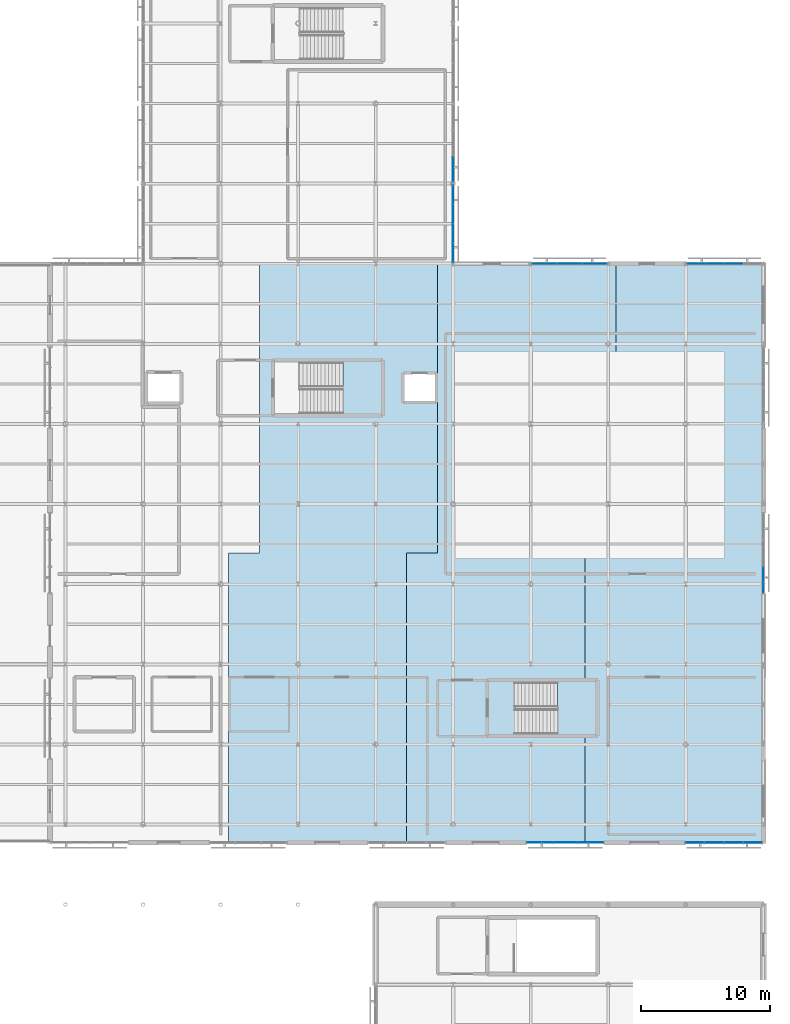
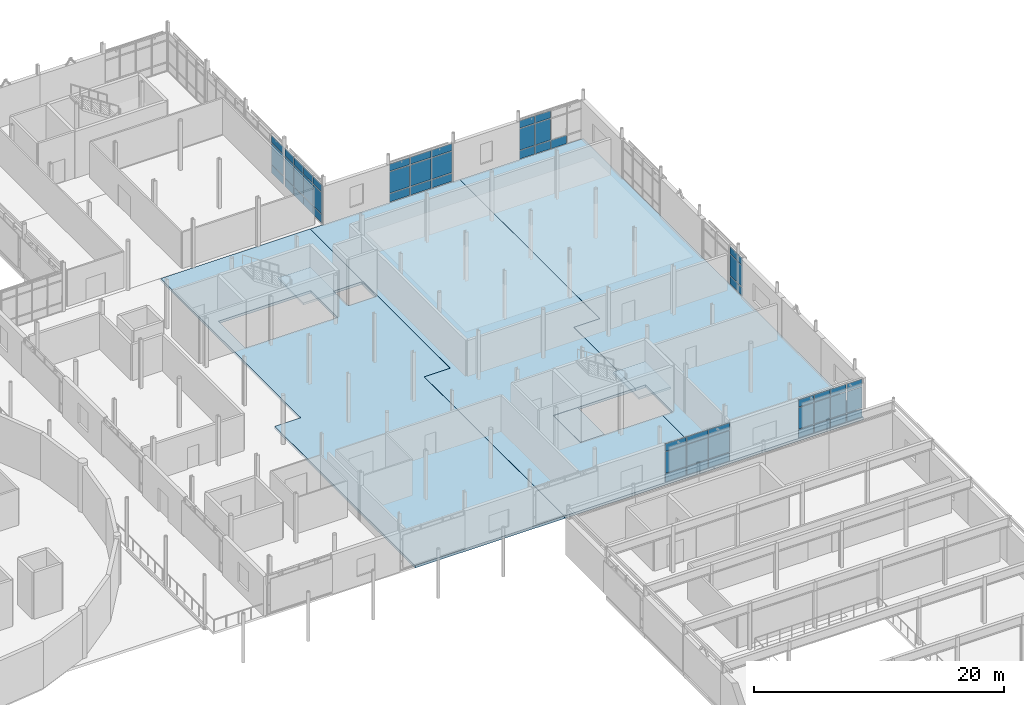
# One storey, part 54 of 84: 55 plates, 6 slabs, 9 elements without a shape of their own.
"""IFC4 building model written with IfcOpenShell, lengths in metres."""

from ifc_helpers import new_model, si_unit, direction, frame, origin, origin_2d, place, context, subcontext, project, spatial, polyline, rectangle, outline, extrude, material, layer, layer_set, type_object, element, aggregate, save


model = new_model("IFC4")

# Units and contexts
model_context = context("Model", 3, precision=1e-05, world=origin(), true_north=direction((0.0, 1.0)))
body_context = subcontext(model_context, "Body", "Model", "MODEL_VIEW")
ifc_project = project(units=[si_unit("LENGTHUNIT", "METRE"), si_unit("AREAUNIT", "SQUARE_METRE"), si_unit("VOLUMEUNIT", "CUBIC_METRE"), si_unit("PLANEANGLEUNIT", "RADIAN"), si_unit("MASSUNIT", "GRAM", prefix="KILO")], contexts=[model_context])

# Site, building, storey
site_placement = place(None, origin())
site = spatial("IfcSite", under=ifc_project, at=site_placement, CompositionType="ELEMENT")
building_placement = place(site_placement, origin())
building = spatial("IfcBuilding", under=site, at=building_placement, Name="Mirzam Square Science Centre", CompositionType="ELEMENT")
storey_placement = place(building_placement, frame((0.0, 0.0, 10.800048828125)))
storey = spatial("IfcBuildingStorey", under=building, at=storey_placement, Name="L02", CompositionType="ELEMENT", Elevation=10.800048828125)

# Curtain wall, plates
ifc_material_1 = material(Name="Anodised Aluminium and Low-E Solar Glass", Category="aluminium")
ifc_layer_1 = layer(ifc_material_1, 0.159912109375)
ifc_layer_set_1 = layer_set([ifc_layer_1], Name="CW-COURT-B")
curtain_wall_type_1 = type_object("IfcCurtainWallType", Name="CW-COURT-B", PredefinedType="USERDEFINED", material=ifc_layer_set_1)
curtain_wall_1_placement = place(storey_placement, origin())
curtain_wall_1 = element("IfcCurtainWall", 1, at=curtain_wall_1_placement, inside=storey, type_object=curtain_wall_type_1, Name="L02 unitised curtain wall 107", ObjectType="UNITISED CURTAIN WALL", PredefinedType="USERDEFINED")
ifc_material_2 = material(Name="Ceramic-Fritted Courtyard Solar Glass", Category="glass")
ifc_layer_2 = layer(ifc_material_2, 0.02392578125)
ifc_layer_set_2 = layer_set([ifc_layer_2], Name="CWP-GLZ-24")
plate_type_1 = type_object("IfcPlateType", Name="CWP-GLZ-24", PredefinedType="CURTAIN_PANEL", material=ifc_layer_set_2)
plate_1_placement = place(storey_placement, frame((159.736328125, 86.800048828125, 0.059814453125), z_axis=(0.0, 0.0, 1.0), x_axis=(-1.0, 0.0, 0.0)))
plate_1 = element("IfcPlate", 2, at=plate_1_placement, type_object=plate_type_1, Name="CW-04 panel 2.1", PredefinedType="CURTAIN_PANEL", context=body_context, shape_type="SweptSolid", body=[
    extrude(rectangle(XDim=1.41259765625, YDim=0.02392578125, at=origin_2d()), origin(), (0.0, 0.0, 1.0), 0.81005859375),
])
plate_2_placement = place(storey_placement, frame((158.263671875, 86.800048828125, 0.059814453125), z_axis=(0.0, 0.0, 1.0), x_axis=(-1.0, 0.0, 0.0)))
plate_2 = element("IfcPlate", 3, at=plate_2_placement, type_object=plate_type_1, Name="CW-04 panel 3.1", PredefinedType="CURTAIN_PANEL", context=body_context, shape_type="SweptSolid", body=[
    extrude(rectangle(XDim=1.41259765625, YDim=0.02392578125, at=origin_2d()), origin(), (0.0, 0.0, 1.0), 0.81005859375),
])
plate_3_placement = place(storey_placement, frame((158.263671875, 86.800048828125, 0.929931640625), z_axis=(0.0, 0.0, 1.0), x_axis=(-1.0, 0.0, 0.0)))
plate_3 = element("IfcPlate", 4, at=plate_3_placement, type_object=plate_type_1, Name="CW-04 panel 3.2", PredefinedType="CURTAIN_PANEL", context=body_context, shape_type="SweptSolid", body=[
    extrude(rectangle(XDim=1.41259765625, YDim=0.02392578125, at=origin_2d()), origin(), (0.0, 0.0, 1.0), 2.080078125),
])
plate_4_placement = place(storey_placement, frame((158.263671875, 86.800048828125, 3.070068359375), z_axis=(0.0, 0.0, 1.0), x_axis=(-1.0, 0.0, 0.0)))
plate_4 = element("IfcPlate", 5, at=plate_4_placement, type_object=plate_type_1, Name="CW-04 panel 3.3", PredefinedType="CURTAIN_PANEL", context=body_context, shape_type="SweptSolid", body=[
    extrude(rectangle(XDim=1.41259765625, YDim=0.02392578125, at=origin_2d()), origin(), (0.0, 0.0, 1.0), 0.7099609375),
])
plate_5_placement = place(storey_placement, frame((156.80615234375, 86.800048828125, 0.059814453125), z_axis=(0.0, 0.0, 1.0), x_axis=(-1.0, 0.0, 0.0)))
plate_5 = element("IfcPlate", 6, at=plate_5_placement, type_object=plate_type_1, Name="CW-04 panel 4.1", PredefinedType="CURTAIN_PANEL", context=body_context, shape_type="SweptSolid", body=[
    extrude(rectangle(XDim=1.382568359375, YDim=0.02392578125, at=origin_2d()), origin(), (0.0, 0.0, 1.0), 0.81005859375),
])
plate_6_placement = place(storey_placement, frame((156.80615234375, 86.800048828125, 0.929931640625), z_axis=(0.0, 0.0, 1.0), x_axis=(-1.0, 0.0, 0.0)))
plate_6 = element("IfcPlate", 7, at=plate_6_placement, type_object=plate_type_1, Name="CW-04 panel 4.2", PredefinedType="CURTAIN_PANEL", context=body_context, shape_type="SweptSolid", body=[
    extrude(rectangle(XDim=1.382568359375, YDim=0.02392578125, at=origin_2d()), origin(), (0.0, 0.0, 1.0), 2.080078125),
])
plate_7_placement = place(storey_placement, frame((156.80615234375, 86.800048828125, 3.070068359375), z_axis=(0.0, 0.0, 1.0), x_axis=(-1.0, 0.0, 0.0)))
plate_7 = element("IfcPlate", 8, at=plate_7_placement, type_object=plate_type_1, Name="CW-04 panel 4.3", PredefinedType="CURTAIN_PANEL", context=body_context, shape_type="SweptSolid", body=[
    extrude(rectangle(XDim=1.382568359375, YDim=0.02392578125, at=origin_2d()), origin(), (0.0, 0.0, 1.0), 0.7099609375),
])
aggregate(curtain_wall_1, [plate_1, plate_2, plate_3, plate_4, plate_5, plate_6, plate_7])

ifc_layer_3 = layer(ifc_material_1, 0.239990234375)
ifc_layer_set_3 = layer_set([ifc_layer_3], Name="CW-EAST-B")
curtain_wall_type_2 = type_object("IfcCurtainWallType", Name="CW-EAST-B", PredefinedType="USERDEFINED", material=ifc_layer_set_3)
curtain_wall_2_placement = place(storey_placement, origin())
curtain_wall_2 = element("IfcCurtainWall", 9, at=curtain_wall_2_placement, inside=storey, type_object=curtain_wall_type_2, Name="L02 unitised curtain wall 105", ObjectType="UNITISED CURTAIN WALL", PredefinedType="USERDEFINED")
ifc_material_3 = material(Name="Double-Silver Low-E Insulated Solar Glass", Category="glass")
ifc_layer_4 = layer(ifc_material_3, 0.028076171875)
ifc_layer_set_4 = layer_set([ifc_layer_4], Name="CWP-GLZ-28")
plate_type_2 = type_object("IfcPlateType", Name="CWP-GLZ-28", PredefinedType="CURTAIN_PANEL", material=ifc_layer_set_4)
plate_8_placement = place(storey_placement, frame((162.0, 62.322021484375, 0.074951171875), z_axis=(0.0, 0.0, 1.0), x_axis=(0.0, 1.0, 0.0)))
plate_8 = element("IfcPlate", 10, at=plate_8_placement, type_object=plate_type_2, Name="CW-06 panel 1.1", PredefinedType="CURTAIN_PANEL", context=body_context, shape_type="SweptSolid", body=[
    extrude(rectangle(XDim=1.984130859375, YDim=0.028076171875, at=origin_2d()), origin(), (0.0, 0.0, 1.0), 0.78759765625),
])
plate_9_placement = place(storey_placement, frame((162.0, 62.322021484375, 0.9375), z_axis=(0.0, 0.0, 1.0), x_axis=(0.0, 1.0, 0.0)))
plate_9 = element("IfcPlate", 11, at=plate_9_placement, type_object=plate_type_2, Name="CW-06 panel 1.2", PredefinedType="CURTAIN_PANEL", context=body_context, shape_type="SweptSolid", body=[
    extrude(rectangle(XDim=1.984130859375, YDim=0.028076171875, at=origin_2d()), origin(), (0.0, 0.0, 1.0), 2.06494140625),
])
plate_10_placement = place(storey_placement, frame((162.0, 62.322021484375, 3.077392578125), z_axis=(0.0, 0.0, 1.0), x_axis=(0.0, 1.0, 0.0)))
plate_10 = element("IfcPlate", 12, at=plate_10_placement, type_object=plate_type_2, Name="CW-06 panel 1.3", PredefinedType="CURTAIN_PANEL", context=body_context, shape_type="SweptSolid", body=[
    extrude(rectangle(XDim=1.984130859375, YDim=0.028076171875, at=origin_2d()), origin(), (0.0, 0.0, 1.0), 0.6875),
])
aggregate(curtain_wall_2, [plate_8, plate_9, plate_10])

curtain_wall_3_placement = place(storey_placement, origin())
curtain_wall_3 = element("IfcCurtainWall", 13, at=curtain_wall_3_placement, inside=storey, type_object=curtain_wall_type_2, Name="L02 unitised curtain wall 108", ObjectType="UNITISED CURTAIN WALL", PredefinedType="USERDEFINED")
plate_11_placement = place(storey_placement, frame((148.944580078125, 86.800048828125, 0.074951171875), z_axis=(0.0, 0.0, 1.0), x_axis=(-1.0, 0.0, 0.0)))
plate_11 = element("IfcPlate", 14, at=plate_11_placement, type_object=plate_type_2, Name="CW-06 panel 1.1", PredefinedType="CURTAIN_PANEL", context=body_context, shape_type="SweptSolid", body=[
    extrude(rectangle(XDim=1.850830078125, YDim=0.028076171875, at=origin_2d()), origin(), (0.0, 0.0, 1.0), 0.78759765625),
])
plate_12_placement = place(storey_placement, frame((148.944580078125, 86.800048828125, 0.9375), z_axis=(0.0, 0.0, 1.0), x_axis=(-1.0, 0.0, 0.0)))
plate_12 = element("IfcPlate", 15, at=plate_12_placement, type_object=plate_type_2, Name="CW-06 panel 1.2", PredefinedType="CURTAIN_PANEL", context=body_context, shape_type="SweptSolid", body=[
    extrude(rectangle(XDim=1.850830078125, YDim=0.028076171875, at=origin_2d()), origin(), (0.0, 0.0, 1.0), 2.06494140625),
])
plate_13_placement = place(storey_placement, frame((148.944580078125, 86.800048828125, 3.077392578125), z_axis=(0.0, 0.0, 1.0), x_axis=(-1.0, 0.0, 0.0)))
plate_13 = element("IfcPlate", 16, at=plate_13_placement, type_object=plate_type_2, Name="CW-06 panel 1.3", PredefinedType="CURTAIN_PANEL", context=body_context, shape_type="SweptSolid", body=[
    extrude(rectangle(XDim=1.850830078125, YDim=0.028076171875, at=origin_2d()), origin(), (0.0, 0.0, 1.0), 0.6875),
])
plate_14_placement = place(storey_placement, frame((147.0, 86.800048828125, 0.074951171875), z_axis=(0.0, 0.0, 1.0), x_axis=(-1.0, 0.0, 0.0)))
plate_14 = element("IfcPlate", 17, at=plate_14_placement, type_object=plate_type_2, Name="CW-06 panel 2.1", PredefinedType="CURTAIN_PANEL", context=body_context, shape_type="SweptSolid", body=[
    extrude(rectangle(XDim=1.888427734375, YDim=0.028076171875, at=origin_2d()), origin(), (0.0, 0.0, 1.0), 0.78759765625),
])
plate_15_placement = place(storey_placement, frame((147.0, 86.800048828125, 0.9375), z_axis=(0.0, 0.0, 1.0), x_axis=(-1.0, 0.0, 0.0)))
plate_15 = element("IfcPlate", 18, at=plate_15_placement, type_object=plate_type_2, Name="CW-06 panel 2.2", PredefinedType="CURTAIN_PANEL", context=body_context, shape_type="SweptSolid", body=[
    extrude(rectangle(XDim=1.888427734375, YDim=0.028076171875, at=origin_2d()), origin(), (0.0, 0.0, 1.0), 2.06494140625),
])
plate_16_placement = place(storey_placement, frame((147.0, 86.800048828125, 3.077392578125), z_axis=(0.0, 0.0, 1.0), x_axis=(-1.0, 0.0, 0.0)))
plate_16 = element("IfcPlate", 19, at=plate_16_placement, type_object=plate_type_2, Name="CW-06 panel 2.3", PredefinedType="CURTAIN_PANEL", context=body_context, shape_type="SweptSolid", body=[
    extrude(rectangle(XDim=1.888427734375, YDim=0.028076171875, at=origin_2d()), origin(), (0.0, 0.0, 1.0), 0.6875),
])
plate_17_placement = place(storey_placement, frame((145.055419921875, 86.800048828125, 0.074951171875), z_axis=(0.0, 0.0, 1.0), x_axis=(-1.0, 0.0, 0.0)))
plate_17 = element("IfcPlate", 20, at=plate_17_placement, type_object=plate_type_2, Name="CW-06 panel 3.1", PredefinedType="CURTAIN_PANEL", context=body_context, shape_type="SweptSolid", body=[
    extrude(rectangle(XDim=1.850830078125, YDim=0.028076171875, at=origin_2d()), origin(), (0.0, 0.0, 1.0), 0.78759765625),
])
plate_18_placement = place(storey_placement, frame((145.055419921875, 86.800048828125, 0.9375), z_axis=(0.0, 0.0, 1.0), x_axis=(-1.0, 0.0, 0.0)))
plate_18 = element("IfcPlate", 21, at=plate_18_placement, type_object=plate_type_2, Name="CW-06 panel 3.2", PredefinedType="CURTAIN_PANEL", context=body_context, shape_type="SweptSolid", body=[
    extrude(rectangle(XDim=1.850830078125, YDim=0.028076171875, at=origin_2d()), origin(), (0.0, 0.0, 1.0), 2.06494140625),
])
plate_19_placement = place(storey_placement, frame((145.055419921875, 86.800048828125, 3.077392578125), z_axis=(0.0, 0.0, 1.0), x_axis=(-1.0, 0.0, 0.0)))
plate_19 = element("IfcPlate", 22, at=plate_19_placement, type_object=plate_type_2, Name="CW-06 panel 3.3", PredefinedType="CURTAIN_PANEL", context=body_context, shape_type="SweptSolid", body=[
    extrude(rectangle(XDim=1.850830078125, YDim=0.028076171875, at=origin_2d()), origin(), (0.0, 0.0, 1.0), 0.6875),
])
aggregate(curtain_wall_3, [plate_11, plate_12, plate_13, plate_14, plate_15, plate_16, plate_17, plate_18, plate_19])

curtain_wall_4_placement = place(storey_placement, origin())
curtain_wall_4 = element("IfcCurtainWall", 23, at=curtain_wall_4_placement, inside=storey, type_object=curtain_wall_type_2, Name="L02 unitised curtain wall 118", ObjectType="UNITISED CURTAIN WALL", PredefinedType="USERDEFINED")
plate_20_placement = place(storey_placement, frame((138.0, 94.0888671875, 0.074951171875), z_axis=(0.0, 0.0, 1.0), x_axis=(0.0, 1.0, 0.0)))
plate_20 = element("IfcPlate", 24, at=plate_20_placement, type_object=plate_type_2, Name="CW-06 panel 1.1", PredefinedType="CURTAIN_PANEL", context=body_context, shape_type="SweptSolid", body=[
    extrude(rectangle(XDim=1.91748046875, YDim=0.028076171875, at=origin_2d()), origin(), (0.0, 0.0, 1.0), 0.78759765625),
])
plate_21_placement = place(storey_placement, frame((138.0, 94.0888671875, 0.9375), z_axis=(0.0, 0.0, 1.0), x_axis=(0.0, 1.0, 0.0)))
plate_21 = element("IfcPlate", 25, at=plate_21_placement, type_object=plate_type_2, Name="CW-06 panel 1.2", PredefinedType="CURTAIN_PANEL", context=body_context, shape_type="SweptSolid", body=[
    extrude(rectangle(XDim=1.91748046875, YDim=0.028076171875, at=origin_2d()), origin(), (0.0, 0.0, 1.0), 2.06494140625),
])
plate_22_placement = place(storey_placement, frame((138.0, 94.0888671875, 3.077392578125), z_axis=(0.0, 0.0, 1.0), x_axis=(0.0, 1.0, 0.0)))
plate_22 = element("IfcPlate", 26, at=plate_22_placement, type_object=plate_type_2, Name="CW-06 panel 1.3", PredefinedType="CURTAIN_PANEL", context=body_context, shape_type="SweptSolid", body=[
    extrude(rectangle(XDim=1.91748046875, YDim=0.028076171875, at=origin_2d()), origin(), (0.0, 0.0, 1.0), 0.6875),
])
aggregate(curtain_wall_4, [plate_20, plate_21, plate_22])

curtain_wall_5_placement = place(storey_placement, origin())
curtain_wall_5 = element("IfcCurtainWall", 27, at=curtain_wall_5_placement, inside=storey, type_object=curtain_wall_type_1, Name="L02 unitised curtain wall 104", ObjectType="UNITISED CURTAIN WALL", PredefinedType="USERDEFINED")
ifc_material_4 = material(Name="Triple-Glazed Acoustic Low-E Solar Glass", Category="glass")
ifc_layer_5 = layer(ifc_material_4, 0.031982421875)
ifc_layer_set_5 = layer_set([ifc_layer_5], Name="CWP-GLZ-32")
plate_type_3 = type_object("IfcPlateType", Name="CWP-GLZ-32", PredefinedType="CURTAIN_PANEL", material=ifc_layer_set_5)
plate_23_placement = place(storey_placement, frame((156.693359375, 42.0, 0.074951171875), z_axis=(0.0, 0.0, 1.0), x_axis=(1.0, 0.0, 0.0)))
plate_23 = element("IfcPlate", 28, at=plate_23_placement, type_object=plate_type_3, Name="CW-04 panel 1.1", PredefinedType="CURTAIN_PANEL", context=body_context, shape_type="SweptSolid", body=[
    extrude(rectangle(XDim=1.393310546875, YDim=0.031982421875, at=origin_2d()), origin(), (0.0, 0.0, 1.0), 0.78759765625),
])
plate_24_placement = place(storey_placement, frame((156.693359375, 42.0, 0.9375), z_axis=(0.0, 0.0, 1.0), x_axis=(1.0, 0.0, 0.0)))
plate_24 = element("IfcPlate", 29, at=plate_24_placement, type_object=plate_type_3, Name="CW-04 panel 1.2", PredefinedType="CURTAIN_PANEL", context=body_context, shape_type="SweptSolid", body=[
    extrude(rectangle(XDim=1.393310546875, YDim=0.031982421875, at=origin_2d()), origin(), (0.0, 0.0, 1.0), 2.06494140625),
])
plate_25_placement = place(storey_placement, frame((156.693359375, 42.0, 3.077392578125), z_axis=(0.0, 0.0, 1.0), x_axis=(1.0, 0.0, 0.0)))
plate_25 = element("IfcPlate", 30, at=plate_25_placement, type_object=plate_type_3, Name="CW-04 panel 1.3", PredefinedType="CURTAIN_PANEL", context=body_context, shape_type="SweptSolid", body=[
    extrude(rectangle(XDim=1.393310546875, YDim=0.031982421875, at=origin_2d()), origin(), (0.0, 0.0, 1.0), 0.6875),
])
plate_26_placement = place(storey_placement, frame((158.180419921875, 42.0, 0.074951171875), z_axis=(0.0, 0.0, 1.0), x_axis=(1.0, 0.0, 0.0)))
plate_26 = element("IfcPlate", 31, at=plate_26_placement, type_object=plate_type_3, Name="CW-04 panel 2.1", PredefinedType="CURTAIN_PANEL", context=body_context, shape_type="SweptSolid", body=[
    extrude(rectangle(XDim=1.430908203125, YDim=0.031982421875, at=origin_2d()), origin(), (0.0, 0.0, 1.0), 0.78759765625),
])
plate_27_placement = place(storey_placement, frame((158.180419921875, 42.0, 0.9375), z_axis=(0.0, 0.0, 1.0), x_axis=(1.0, 0.0, 0.0)))
plate_27 = element("IfcPlate", 32, at=plate_27_placement, type_object=plate_type_3, Name="CW-04 panel 2.2", PredefinedType="CURTAIN_PANEL", context=body_context, shape_type="SweptSolid", body=[
    extrude(rectangle(XDim=1.430908203125, YDim=0.031982421875, at=origin_2d()), origin(), (0.0, 0.0, 1.0), 2.06494140625),
])
plate_28_placement = place(storey_placement, frame((158.180419921875, 42.0, 3.077392578125), z_axis=(0.0, 0.0, 1.0), x_axis=(1.0, 0.0, 0.0)))
plate_28 = element("IfcPlate", 33, at=plate_28_placement, type_object=plate_type_3, Name="CW-04 panel 2.3", PredefinedType="CURTAIN_PANEL", context=body_context, shape_type="SweptSolid", body=[
    extrude(rectangle(XDim=1.430908203125, YDim=0.031982421875, at=origin_2d()), origin(), (0.0, 0.0, 1.0), 0.6875),
])
plate_29_placement = place(storey_placement, frame((159.686279296875, 42.0, 0.074951171875), z_axis=(0.0, 0.0, 1.0), x_axis=(1.0, 0.0, 0.0)))
plate_29 = element("IfcPlate", 34, at=plate_29_placement, type_object=plate_type_3, Name="CW-04 panel 3.1", PredefinedType="CURTAIN_PANEL", context=body_context, shape_type="SweptSolid", body=[
    extrude(rectangle(XDim=1.430908203125, YDim=0.031982421875, at=origin_2d()), origin(), (0.0, 0.0, 1.0), 0.78759765625),
])
plate_30_placement = place(storey_placement, frame((159.686279296875, 42.0, 0.9375), z_axis=(0.0, 0.0, 1.0), x_axis=(1.0, 0.0, 0.0)))
plate_30 = element("IfcPlate", 35, at=plate_30_placement, type_object=plate_type_3, Name="CW-04 panel 3.2", PredefinedType="CURTAIN_PANEL", context=body_context, shape_type="SweptSolid", body=[
    extrude(rectangle(XDim=1.430908203125, YDim=0.031982421875, at=origin_2d()), origin(), (0.0, 0.0, 1.0), 2.06494140625),
])
plate_31_placement = place(storey_placement, frame((159.686279296875, 42.0, 3.077392578125), z_axis=(0.0, 0.0, 1.0), x_axis=(1.0, 0.0, 0.0)))
plate_31 = element("IfcPlate", 36, at=plate_31_placement, type_object=plate_type_3, Name="CW-04 panel 3.3", PredefinedType="CURTAIN_PANEL", context=body_context, shape_type="SweptSolid", body=[
    extrude(rectangle(XDim=1.430908203125, YDim=0.031982421875, at=origin_2d()), origin(), (0.0, 0.0, 1.0), 0.6875),
])
plate_32_placement = place(storey_placement, frame((161.17333984375, 42.0, 0.074951171875), z_axis=(0.0, 0.0, 1.0), x_axis=(1.0, 0.0, 0.0)))
plate_32 = element("IfcPlate", 37, at=plate_32_placement, type_object=plate_type_3, Name="CW-04 panel 4.1", PredefinedType="CURTAIN_PANEL", context=body_context, shape_type="SweptSolid", body=[
    extrude(rectangle(XDim=1.393310546875, YDim=0.031982421875, at=origin_2d()), origin(), (0.0, 0.0, 1.0), 0.78759765625),
])
plate_33_placement = place(storey_placement, frame((161.17333984375, 42.0, 0.9375), z_axis=(0.0, 0.0, 1.0), x_axis=(1.0, 0.0, 0.0)))
plate_33 = element("IfcPlate", 38, at=plate_33_placement, type_object=plate_type_3, Name="CW-04 panel 4.2", PredefinedType="CURTAIN_PANEL", context=body_context, shape_type="SweptSolid", body=[
    extrude(rectangle(XDim=1.393310546875, YDim=0.031982421875, at=origin_2d()), origin(), (0.0, 0.0, 1.0), 2.06494140625),
])
plate_34_placement = place(storey_placement, frame((161.17333984375, 42.0, 3.077392578125), z_axis=(0.0, 0.0, 1.0), x_axis=(1.0, 0.0, 0.0)))
plate_34 = element("IfcPlate", 39, at=plate_34_placement, type_object=plate_type_3, Name="CW-04 panel 4.3", PredefinedType="CURTAIN_PANEL", context=body_context, shape_type="SweptSolid", body=[
    extrude(rectangle(XDim=1.393310546875, YDim=0.031982421875, at=origin_2d()), origin(), (0.0, 0.0, 1.0), 0.6875),
])
aggregate(curtain_wall_5, [plate_23, plate_24, plate_25, plate_26, plate_27, plate_28, plate_29, plate_30, plate_31, plate_32, plate_33, plate_34])

ifc_layer_6 = layer(ifc_material_1, 0.199951171875)
ifc_layer_set_6 = layer_set([ifc_layer_6], Name="CW-PARK-B")
curtain_wall_type_3 = type_object("IfcCurtainWallType", Name="CW-PARK-B", PredefinedType="USERDEFINED", material=ifc_layer_set_6)
curtain_wall_6_placement = place(storey_placement, origin())
curtain_wall_6 = element("IfcCurtainWall", 40, at=curtain_wall_6_placement, inside=storey, type_object=curtain_wall_type_3, Name="L02 unitised curtain wall 103", ObjectType="UNITISED CURTAIN WALL", PredefinedType="USERDEFINED")
ifc_material_5 = material(Name="Acoustic Laminated Solar Spandrel Glass", Category="glass")
ifc_layer_7 = layer(ifc_material_5, 0.0400390625)
ifc_layer_set_7 = layer_set([ifc_layer_7], Name="CWP-GLZ-40")
plate_type_4 = type_object("IfcPlateType", Name="CWP-GLZ-40", PredefinedType="CURTAIN_PANEL", material=ifc_layer_set_7)
plate_35_placement = place(storey_placement, frame((144.673828125, 42.0, 0.059814453125), z_axis=(0.0, 0.0, 1.0), x_axis=(1.0, 0.0, 0.0)))
plate_35 = element("IfcPlate", 41, at=plate_35_placement, type_object=plate_type_4, Name="CW-02 panel 1.1", PredefinedType="CURTAIN_PANEL", context=body_context, shape_type="SweptSolid", body=[
    extrude(rectangle(XDim=1.917724609375, YDim=0.0400390625, at=origin_2d()), origin(), (0.0, 0.0, 1.0), 0.81005859375),
])
plate_36_placement = place(storey_placement, frame((144.673828125, 42.0, 0.929931640625), z_axis=(0.0, 0.0, 1.0), x_axis=(1.0, 0.0, 0.0)))
plate_36 = element("IfcPlate", 42, at=plate_36_placement, type_object=plate_type_4, Name="CW-02 panel 1.2", PredefinedType="CURTAIN_PANEL", context=body_context, shape_type="SweptSolid", body=[
    extrude(rectangle(XDim=1.917724609375, YDim=0.0400390625, at=origin_2d()), origin(), (0.0, 0.0, 1.0), 2.080078125),
])
plate_37_placement = place(storey_placement, frame((144.673828125, 42.0, 3.070068359375), z_axis=(0.0, 0.0, 1.0), x_axis=(1.0, 0.0, 0.0)))
plate_37 = element("IfcPlate", 43, at=plate_37_placement, type_object=plate_type_4, Name="CW-02 panel 1.3", PredefinedType="CURTAIN_PANEL", context=body_context, shape_type="SweptSolid", body=[
    extrude(rectangle(XDim=1.917724609375, YDim=0.0400390625, at=origin_2d()), origin(), (0.0, 0.0, 1.0), 0.7099609375),
])
plate_38_placement = place(storey_placement, frame((146.666748046875, 42.0, 0.059814453125), z_axis=(0.0, 0.0, 1.0), x_axis=(1.0, 0.0, 0.0)))
plate_38 = element("IfcPlate", 44, at=plate_38_placement, type_object=plate_type_4, Name="CW-02 panel 2.1", PredefinedType="CURTAIN_PANEL", context=body_context, shape_type="SweptSolid", body=[
    extrude(rectangle(XDim=1.94775390625, YDim=0.0400390625, at=origin_2d()), origin(), (0.0, 0.0, 1.0), 0.81005859375),
])
plate_39_placement = place(storey_placement, frame((146.666748046875, 42.0, 0.929931640625), z_axis=(0.0, 0.0, 1.0), x_axis=(1.0, 0.0, 0.0)))
plate_39 = element("IfcPlate", 45, at=plate_39_placement, type_object=plate_type_4, Name="CW-02 panel 2.2", PredefinedType="CURTAIN_PANEL", context=body_context, shape_type="SweptSolid", body=[
    extrude(rectangle(XDim=1.94775390625, YDim=0.0400390625, at=origin_2d()), origin(), (0.0, 0.0, 1.0), 2.080078125),
])
plate_40_placement = place(storey_placement, frame((146.666748046875, 42.0, 3.070068359375), z_axis=(0.0, 0.0, 1.0), x_axis=(1.0, 0.0, 0.0)))
plate_40 = element("IfcPlate", 46, at=plate_40_placement, type_object=plate_type_4, Name="CW-02 panel 2.3", PredefinedType="CURTAIN_PANEL", context=body_context, shape_type="SweptSolid", body=[
    extrude(rectangle(XDim=1.94775390625, YDim=0.0400390625, at=origin_2d()), origin(), (0.0, 0.0, 1.0), 0.7099609375),
])
plate_41_placement = place(storey_placement, frame((148.659423828125, 42.0, 0.059814453125), z_axis=(0.0, 0.0, 1.0), x_axis=(1.0, 0.0, 0.0)))
plate_41 = element("IfcPlate", 47, at=plate_41_placement, type_object=plate_type_4, Name="CW-02 panel 3.1", PredefinedType="CURTAIN_PANEL", context=body_context, shape_type="SweptSolid", body=[
    extrude(rectangle(XDim=1.917724609375, YDim=0.0400390625, at=origin_2d()), origin(), (0.0, 0.0, 1.0), 0.81005859375),
])
plate_42_placement = place(storey_placement, frame((148.659423828125, 42.0, 0.929931640625), z_axis=(0.0, 0.0, 1.0), x_axis=(1.0, 0.0, 0.0)))
plate_42 = element("IfcPlate", 48, at=plate_42_placement, type_object=plate_type_4, Name="CW-02 panel 3.2", PredefinedType="CURTAIN_PANEL", context=body_context, shape_type="SweptSolid", body=[
    extrude(rectangle(XDim=1.917724609375, YDim=0.0400390625, at=origin_2d()), origin(), (0.0, 0.0, 1.0), 2.080078125),
])
plate_43_placement = place(storey_placement, frame((148.659423828125, 42.0, 3.070068359375), z_axis=(0.0, 0.0, 1.0), x_axis=(1.0, 0.0, 0.0)))
plate_43 = element("IfcPlate", 49, at=plate_43_placement, type_object=plate_type_4, Name="CW-02 panel 3.3", PredefinedType="CURTAIN_PANEL", context=body_context, shape_type="SweptSolid", body=[
    extrude(rectangle(XDim=1.917724609375, YDim=0.0400390625, at=origin_2d()), origin(), (0.0, 0.0, 1.0), 0.7099609375),
])
aggregate(curtain_wall_6, [plate_35, plate_36, plate_37, plate_38, plate_39, plate_40, plate_41, plate_42, plate_43])

ifc_layer_8 = layer(ifc_material_1, 0.199951171875)
ifc_layer_set_8 = layer_set([ifc_layer_8], Name="CW-EAST-A")
curtain_wall_type_4 = type_object("IfcCurtainWallType", Name="CW-EAST-A", PredefinedType="USERDEFINED", material=ifc_layer_set_8)
curtain_wall_7_placement = place(storey_placement, origin())
curtain_wall_7 = element("IfcCurtainWall", 50, at=curtain_wall_7_placement, inside=storey, type_object=curtain_wall_type_4, Name="L02 unitised curtain wall 116", ObjectType="UNITISED CURTAIN WALL", PredefinedType="USERDEFINED")
plate_44_placement = place(storey_placement, frame((138.0, 87.632568359375, 0.06494140625), z_axis=(0.0, 0.0, 1.0), x_axis=(0.0, 1.0, 0.0)))
plate_44 = element("IfcPlate", 51, at=plate_44_placement, type_object=plate_type_4, Name="CW-05 panel 1.1", PredefinedType="CURTAIN_PANEL", context=body_context, shape_type="SweptSolid", body=[
    extrude(rectangle(XDim=1.425048828125, YDim=0.0400390625, at=origin_2d()), origin(), (0.0, 0.0, 1.0), 0.802490234375),
])
plate_45_placement = place(storey_placement, frame((138.0, 87.632568359375, 0.9326171875), z_axis=(0.0, 0.0, 1.0), x_axis=(0.0, 1.0, 0.0)))
plate_45 = element("IfcPlate", 52, at=plate_45_placement, type_object=plate_type_4, Name="CW-05 panel 1.2", PredefinedType="CURTAIN_PANEL", context=body_context, shape_type="SweptSolid", body=[
    extrude(rectangle(XDim=1.425048828125, YDim=0.0400390625, at=origin_2d()), origin(), (0.0, 0.0, 1.0), 2.074951171875),
])
plate_46_placement = place(storey_placement, frame((138.0, 87.632568359375, 3.072265625), z_axis=(0.0, 0.0, 1.0), x_axis=(0.0, 1.0, 0.0)))
plate_46 = element("IfcPlate", 53, at=plate_46_placement, type_object=plate_type_4, Name="CW-05 panel 1.3", PredefinedType="CURTAIN_PANEL", context=body_context, shape_type="SweptSolid", body=[
    extrude(rectangle(XDim=1.425048828125, YDim=0.0400390625, at=origin_2d()), origin(), (0.0, 0.0, 1.0), 0.702392578125),
])
plate_47_placement = place(storey_placement, frame((138.0, 89.138671875, 0.06494140625), z_axis=(0.0, 0.0, 1.0), x_axis=(0.0, 1.0, 0.0)))
plate_47 = element("IfcPlate", 54, at=plate_47_placement, type_object=plate_type_4, Name="CW-05 panel 2.1", PredefinedType="CURTAIN_PANEL", context=body_context, shape_type="SweptSolid", body=[
    extrude(rectangle(XDim=1.45751953125, YDim=0.0400390625, at=origin_2d()), origin(), (0.0, 0.0, 1.0), 0.802490234375),
])
plate_48_placement = place(storey_placement, frame((138.0, 89.138671875, 0.9326171875), z_axis=(0.0, 0.0, 1.0), x_axis=(0.0, 1.0, 0.0)))
plate_48 = element("IfcPlate", 55, at=plate_48_placement, type_object=plate_type_4, Name="CW-05 panel 2.2", PredefinedType="CURTAIN_PANEL", context=body_context, shape_type="SweptSolid", body=[
    extrude(rectangle(XDim=1.45751953125, YDim=0.0400390625, at=origin_2d()), origin(), (0.0, 0.0, 1.0), 2.074951171875),
])
plate_49_placement = place(storey_placement, frame((138.0, 89.138671875, 3.072265625), z_axis=(0.0, 0.0, 1.0), x_axis=(0.0, 1.0, 0.0)))
plate_49 = element("IfcPlate", 56, at=plate_49_placement, type_object=plate_type_4, Name="CW-05 panel 2.3", PredefinedType="CURTAIN_PANEL", context=body_context, shape_type="SweptSolid", body=[
    extrude(rectangle(XDim=1.45751953125, YDim=0.0400390625, at=origin_2d()), origin(), (0.0, 0.0, 1.0), 0.702392578125),
])
plate_50_placement = place(storey_placement, frame((138.0, 90.6611328125, 0.06494140625), z_axis=(0.0, 0.0, 1.0), x_axis=(0.0, 1.0, 0.0)))
plate_50 = element("IfcPlate", 57, at=plate_50_placement, type_object=plate_type_4, Name="CW-05 panel 3.1", PredefinedType="CURTAIN_PANEL", context=body_context, shape_type="SweptSolid", body=[
    extrude(rectangle(XDim=1.45751953125, YDim=0.0400390625, at=origin_2d()), origin(), (0.0, 0.0, 1.0), 0.802490234375),
])
plate_51_placement = place(storey_placement, frame((138.0, 90.6611328125, 0.9326171875), z_axis=(0.0, 0.0, 1.0), x_axis=(0.0, 1.0, 0.0)))
plate_51 = element("IfcPlate", 58, at=plate_51_placement, type_object=plate_type_4, Name="CW-05 panel 3.2", PredefinedType="CURTAIN_PANEL", context=body_context, shape_type="SweptSolid", body=[
    extrude(rectangle(XDim=1.45751953125, YDim=0.0400390625, at=origin_2d()), origin(), (0.0, 0.0, 1.0), 2.074951171875),
])
plate_52_placement = place(storey_placement, frame((138.0, 90.6611328125, 3.072265625), z_axis=(0.0, 0.0, 1.0), x_axis=(0.0, 1.0, 0.0)))
plate_52 = element("IfcPlate", 59, at=plate_52_placement, type_object=plate_type_4, Name="CW-05 panel 3.3", PredefinedType="CURTAIN_PANEL", context=body_context, shape_type="SweptSolid", body=[
    extrude(rectangle(XDim=1.45751953125, YDim=0.0400390625, at=origin_2d()), origin(), (0.0, 0.0, 1.0), 0.702392578125),
])
plate_53_placement = place(storey_placement, frame((138.0, 92.16748046875, 0.06494140625), z_axis=(0.0, 0.0, 1.0), x_axis=(0.0, 1.0, 0.0)))
plate_53 = element("IfcPlate", 60, at=plate_53_placement, type_object=plate_type_4, Name="CW-05 panel 4.1", PredefinedType="CURTAIN_PANEL", context=body_context, shape_type="SweptSolid", body=[
    extrude(rectangle(XDim=1.425048828125, YDim=0.0400390625, at=origin_2d()), origin(), (0.0, 0.0, 1.0), 0.802490234375),
])
plate_54_placement = place(storey_placement, frame((138.0, 92.16748046875, 0.9326171875), z_axis=(0.0, 0.0, 1.0), x_axis=(0.0, 1.0, 0.0)))
plate_54 = element("IfcPlate", 61, at=plate_54_placement, type_object=plate_type_4, Name="CW-05 panel 4.2", PredefinedType="CURTAIN_PANEL", context=body_context, shape_type="SweptSolid", body=[
    extrude(rectangle(XDim=1.425048828125, YDim=0.0400390625, at=origin_2d()), origin(), (0.0, 0.0, 1.0), 2.074951171875),
])
plate_55_placement = place(storey_placement, frame((138.0, 92.16748046875, 3.072265625), z_axis=(0.0, 0.0, 1.0), x_axis=(0.0, 1.0, 0.0)))
plate_55 = element("IfcPlate", 62, at=plate_55_placement, type_object=plate_type_4, Name="CW-05 panel 4.3", PredefinedType="CURTAIN_PANEL", context=body_context, shape_type="SweptSolid", body=[
    extrude(rectangle(XDim=1.425048828125, YDim=0.0400390625, at=origin_2d()), origin(), (0.0, 0.0, 1.0), 0.702392578125),
])
aggregate(curtain_wall_7, [plate_44, plate_45, plate_46, plate_47, plate_48, plate_49, plate_50, plate_51, plate_52, plate_53, plate_54, plate_55])

# Slabs
ifc_material_6 = material(Name="Concrete C40/50", Category="concrete")
ifc_layer_9 = layer(ifc_material_6, 0.25)
ifc_layer_set_9 = layer_set([ifc_layer_9], Name="SL-LAB-250")
slab_type_1 = type_object("IfcSlabType", Name="SL-LAB-250", PredefinedType="FLOOR", material=ifc_layer_set_9)
slab_1_placement = place(storey_placement, frame((0.0, 0.0, -0.25)))
element("IfcSlab", 63, at=slab_1_placement, inside=storey, type_object=slab_type_1, Name="L02 east 2 slab", PredefinedType="FLOOR", context=body_context, shape_type="SweptSolid", body=[
    extrude(outline(polyline([(136.800048828125, 86.800048828125), (136.800048828125, 64.39990234375), (134.39990234375, 64.39990234375), (134.39990234375, 42.0), (120.60498046875, 42.0), (120.60498046875, 64.39501953125), (123.0048828125, 64.39501953125), (123.0048828125, 86.800048828125), (136.800048828125, 86.800048828125)]), holes=[polyline([(132.56005859375, 79.330078125), (124.0400390625, 79.330078125), (124.0400390625, 75.0400390625), (132.56005859375, 75.0400390625), (132.56005859375, 79.330078125)]), polyline([(136.699951171875, 78.35009765625), (134.10009765625, 78.35009765625), (134.10009765625, 76.050048828125), (136.699951171875, 76.050048828125), (136.699951171875, 78.35009765625)])]), origin(), (0.0, 0.0, 1.0), 0.25),
])
slab_2_placement = place(storey_placement, frame((0.0, 0.0, -0.25)))
element("IfcSlab", 64, at=slab_2_placement, inside=storey, type_object=slab_type_1, Name="L02 east 3 slab", PredefinedType="FLOOR", context=body_context, shape_type="SweptSolid", body=[
    extrude(outline(polyline([(134.405029296875, 42.0), (134.405029296875, 64.39501953125), (136.804931640625, 64.39501953125), (136.804931640625, 86.800048828125), (150.60009765625, 86.800048828125), (150.60009765625, 64.39990234375), (148.199951171875, 64.39990234375), (148.199951171875, 54.570068359375), (140.639892578125, 54.570068359375), (140.639892578125, 50.239990234375), (148.199951171875, 50.239990234375), (148.199951171875, 42.0), (134.405029296875, 42.0)])), origin(), (0.0, 0.0, 1.0), 0.25),
])
slab_3_placement = place(storey_placement, frame((0.0, 0.0, -0.25)))
element("IfcSlab", 65, at=slab_3_placement, inside=storey, type_object=slab_type_1, Name="L02 east 4 slab", PredefinedType="FLOOR", context=body_context, shape_type="SweptSolid", body=[
    extrude(outline(polyline([(162.0, 86.800048828125), (162.0, 42.0), (148.205078125, 42.0), (148.205078125, 50.239990234375), (149.159912109375, 50.239990234375), (149.159912109375, 54.570068359375), (148.205078125, 54.570068359375), (148.205078125, 64.39501953125), (150.60498046875, 64.39501953125), (150.60498046875, 86.800048828125), (162.0, 86.800048828125)])), origin(), (0.0, 0.0, 1.0), 0.25),
])

# Stair, slab
stair_type_1 = type_object("IfcStairType", Name="ST-CORE-4-480", PredefinedType="HALF_TURN_STAIR", material=ifc_material_6)
stair_1_placement = place(storey_placement, origin())
stair_1 = element("IfcStair", 66, at=stair_1_placement, inside=storey, type_object=stair_type_1, Name="L02 ST-04", PredefinedType="HALF_TURN_STAIR")
ifc_layer_10 = layer(ifc_material_6, 0.199951171875)
ifc_layer_set_10 = layer_set([ifc_layer_10], Name="SL-LANDING-200")
slab_type_2 = type_object("IfcSlabType", Name="SL-LANDING-200", PredefinedType="LANDING", material=ifc_layer_set_10)
slab_4_placement = place(storey_placement, frame((0.0, 0.0, 2.199951171875)))
slab_4 = element("IfcSlab", 67, at=slab_4_placement, type_object=slab_type_2, Name="ST-04 landing 1", PredefinedType="LANDING", context=body_context, shape_type="SweptSolid", body=[
    extrude(outline(polyline([(129.469970703125, 75.14990234375), (132.449951171875, 75.14990234375), (132.449951171875, 79.219970703125), (129.469970703125, 79.219970703125), (129.469970703125, 75.14990234375)])), origin(), (0.0, 0.0, 1.0), 0.199951171875),
])
aggregate(stair_1, [slab_4])

stair_type_2 = type_object("IfcStairType", Name="ST-CORE-5-480", PredefinedType="HALF_TURN_STAIR", material=ifc_material_6)
stair_2_placement = place(storey_placement, origin())
stair_2 = element("IfcStair", 68, at=stair_2_placement, inside=storey, type_object=stair_type_2, Name="L02 ST-05", PredefinedType="HALF_TURN_STAIR")
slab_5_placement = place(storey_placement, frame((0.0, 0.0, 2.199951171875)))
slab_5 = element("IfcSlab", 69, at=slab_5_placement, type_object=slab_type_2, Name="ST-05 landing 1", PredefinedType="LANDING", context=body_context, shape_type="SweptSolid", body=[
    extrude(outline(polyline([(146.090087890625, 50.35009765625), (149.050048828125, 50.35009765625), (149.050048828125, 54.4599609375), (146.090087890625, 54.4599609375), (146.090087890625, 50.35009765625)])), origin(), (0.0, 0.0, 1.0), 0.199951171875),
])
aggregate(stair_2, [slab_5])

# Slab
slab_6_placement = place(storey_placement, frame((0.0, 0.0, -0.199951171875)))
element("IfcSlab", 70, at=slab_6_placement, inside=storey, type_object=slab_type_2, Name="L02 CORE-5 floor landing", PredefinedType="LANDING", context=body_context, shape_type="SweptSolid", body=[
    extrude(outline(polyline([(142.8798828125, 50.2451171875), (140.64501953125, 50.2451171875), (140.64501953125, 54.56494140625), (142.8798828125, 54.56494140625), (142.8798828125, 50.2451171875)])), origin(), (0.0, 0.0, 1.0), 0.199951171875),
])

save(model, "model.ifc")
